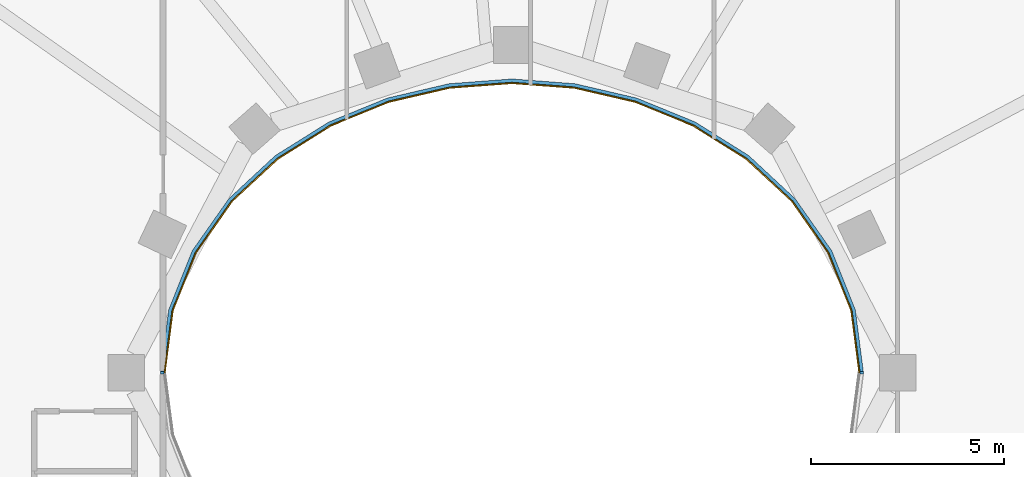
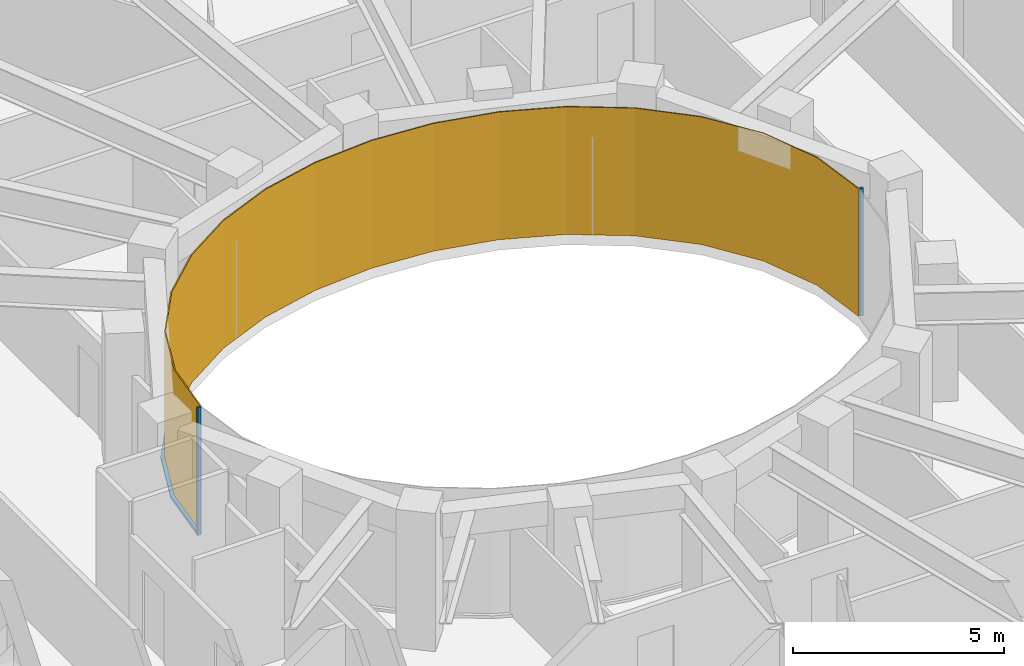
# One storey, part 12 of 16: 3 members, 1 curtain wall.
"""IFC4 building model written with IfcOpenShell, lengths in metres."""

from ifc_helpers import new_model, si_unit, direction, frame, origin, origin_2d, place, context, subcontext, project, spatial, polyline, rectangle, outline, extrude, material, layer, layer_set, material_profile, profile_set, type_object, element, aggregate, save


model = new_model("IFC4")

# Units and contexts
model_context = context("Model", 3, precision=1e-05, world=origin(), true_north=direction((0.0, 1.0)))
body_context = subcontext(model_context, "Body", "Model", "MODEL_VIEW")
ifc_project = project(units=[si_unit("LENGTHUNIT", "METRE"), si_unit("AREAUNIT", "SQUARE_METRE"), si_unit("VOLUMEUNIT", "CUBIC_METRE"), si_unit("PLANEANGLEUNIT", "RADIAN"), si_unit("MASSUNIT", "GRAM", prefix="KILO")], contexts=[model_context])

# Member
ifc_material_1 = material(Name="Steel S355 fire-resisting frame", Category="steel")
ifc_material_profile = material_profile(ifc_material_1, rectangle(XDim=0.090087890625, YDim=0.06005859375, at=origin_2d()), Name="90x60")
ifc_profile_set = profile_set([ifc_material_profile], Name="Steel S355 fire-resisting frame")
member_type_1 = type_object("IfcMemberType", Name="ENV-MULLION-W-90", PredefinedType="MULLION", material=ifc_profile_set)
site_placement = place(None, origin())
building_placement = place(site_placement, origin())
storey_placement = place(building_placement, frame((0.0, 0.0, 281.5)))
member_1_placement = place(storey_placement, frame((9.076904296875, 0.0, 0.0), z_axis=(0.0, 0.0, 1.0), x_axis=(1.0, 0.0, 0.0)))
member_1 = element("IfcMember", 1, at=member_1_placement, type_object=member_type_1, Name="Mullion W well vertex 01", PredefinedType="MULLION", context=body_context, shape_type="SweptSolid", body=[
    extrude(rectangle(XDim=0.090087890625, YDim=0.06005859375, at=origin_2d()), origin(), (0.0, 0.0, 1.0), 3.699951171875),
])

member_2_placement = place(storey_placement, frame((-9.076904296875, 0.0, 0.0), z_axis=(0.0, 0.0, 1.0), x_axis=(-1.0, 0.0, 0.0)))
member_2 = element("IfcMember", 2, at=member_2_placement, type_object=member_type_1, Name="Mullion W well vertex 17", PredefinedType="MULLION", context=body_context, shape_type="SweptSolid", body=[
    extrude(rectangle(XDim=0.090087890625, YDim=0.06005859375, at=origin_2d()), origin(), (0.0, 0.0, 1.0), 3.699951171875),
])

ifc_material_2 = material(Name="Steel S355 fire-resisting frame", Category="steel")
member_type_2 = type_object("IfcMemberType", Name="ENV-TRANSOM-W", PredefinedType="USERDEFINED", material=ifc_material_2)
member_3_placement = place(storey_placement, origin())
member_3 = element("IfcMember", 3, at=member_3_placement, type_object=member_type_2, Name="Transom W well 01-17", ObjectType="TRANSOM", PredefinedType="USERDEFINED", context=body_context, shape_type="SweptSolid", body=[
    extrude(outline(polyline([(9.119384765625, 0.02783203125), (8.910400390625, 1.63623046875), (8.29833984375, 3.167236328125), (7.35107421875, 4.5146484375), (6.1455078125, 5.6337890625), (4.75341796875, 6.50634765625), (3.233642578125, 7.127685546875), (1.635498046875, 7.498779296875), (0.0, 7.622314453125), (-1.635498046875, 7.498779296875), (-3.233642578125, 7.127685546875), (-4.75341796875, 6.50634765625), (-6.1455078125, 5.6337890625), (-7.35107421875, 4.5146484375), (-8.29833984375, 3.167236328125), (-8.910400390625, 1.63623046875), (-9.119384765625, 0.02783203125), (-9.02880859375, 0.02783203125), (-8.822509765625, 1.61328125), (-8.21875, 3.124267578125), (-7.282958984375, 4.455078125), (-6.090576171875, 5.56201171875), (-4.712158203125, 6.426025390625), (-3.206298828125, 7.04150390625), (-1.621826171875, 7.40966796875), (0.0, 7.531982421875), (1.621826171875, 7.40966796875), (3.206298828125, 7.04150390625), (4.712158203125, 6.426025390625), (6.090576171875, 5.56201171875), (7.282958984375, 4.455078125), (8.21875, 3.124267578125), (8.822509765625, 1.61328125), (9.02880859375, 0.02783203125), (9.119384765625, 0.02783203125)])), origin(), (0.0, 0.0, 1.0), 0.080078125),
])

# Site, building, storey
site = spatial("IfcSite", under=ifc_project, at=site_placement, CompositionType="ELEMENT")
building = spatial("IfcBuilding", under=site, at=building_placement, Name="Noorbagh Ring Tower", CompositionType="ELEMENT")
storey = spatial("IfcBuildingStorey", under=building, at=storey_placement, Name="L60", CompositionType="ELEMENT", Elevation=281.5)

# Curtain wall
ifc_material_3 = material(Name="Glass fire-resisting E60 laminated", Category="glass")
ifc_layer = layer(ifc_material_3, 0.031982421875)
ifc_layer_set = layer_set([ifc_layer], Name="Glass fire-resisting E60 laminated")
curtain_wall_type = type_object("IfcCurtainWallType", Name="ENV-CW-W", PredefinedType="NOTDEFINED", material=ifc_layer_set)
curtain_wall_placement = place(storey_placement, origin())
curtain_wall = element("IfcCurtainWall", 4, at=curtain_wall_placement, inside=storey, type_object=curtain_wall_type, Name="Curtain wall W W01", PredefinedType="NOTDEFINED", context=body_context, shape_type="SweptSolid", body=[
    extrude(outline(polyline([(9.0322265625, 0.0), (8.822509765625, 1.61328125), (8.21875, 3.124267578125), (7.282958984375, 4.455078125), (6.090576171875, 5.56201171875), (4.712158203125, 6.426025390625), (3.206298828125, 7.04150390625), (1.621826171875, 7.40966796875), (0.0, 7.531982421875), (-1.621826171875, 7.40966796875), (-3.206298828125, 7.04150390625), (-4.712158203125, 6.426025390625), (-6.090576171875, 5.56201171875), (-7.282958984375, 4.455078125), (-8.21875, 3.124267578125), (-8.822509765625, 1.61328125), (-9.0322265625, 0.0), (-9.0, 0.0), (-8.79150390625, 1.605224609375), (-8.1904296875, 3.10888671875), (-7.2587890625, 4.43408203125), (-6.071044921875, 5.53662109375), (-4.697509765625, 6.3974609375), (-3.196533203125, 7.010986328125), (-1.6171875, 7.3779296875), (0.0, 7.5), (1.6171875, 7.3779296875), (3.196533203125, 7.010986328125), (4.697509765625, 6.3974609375), (6.071044921875, 5.53662109375), (7.2587890625, 4.43408203125), (8.1904296875, 3.10888671875), (8.79150390625, 1.605224609375), (9.0, 0.0), (9.0322265625, 0.0)])), origin(), (0.0, 0.0, 1.0), 3.699951171875),
])

aggregate(curtain_wall, [member_1, member_2, member_3])

save(model, "model.ifc")
